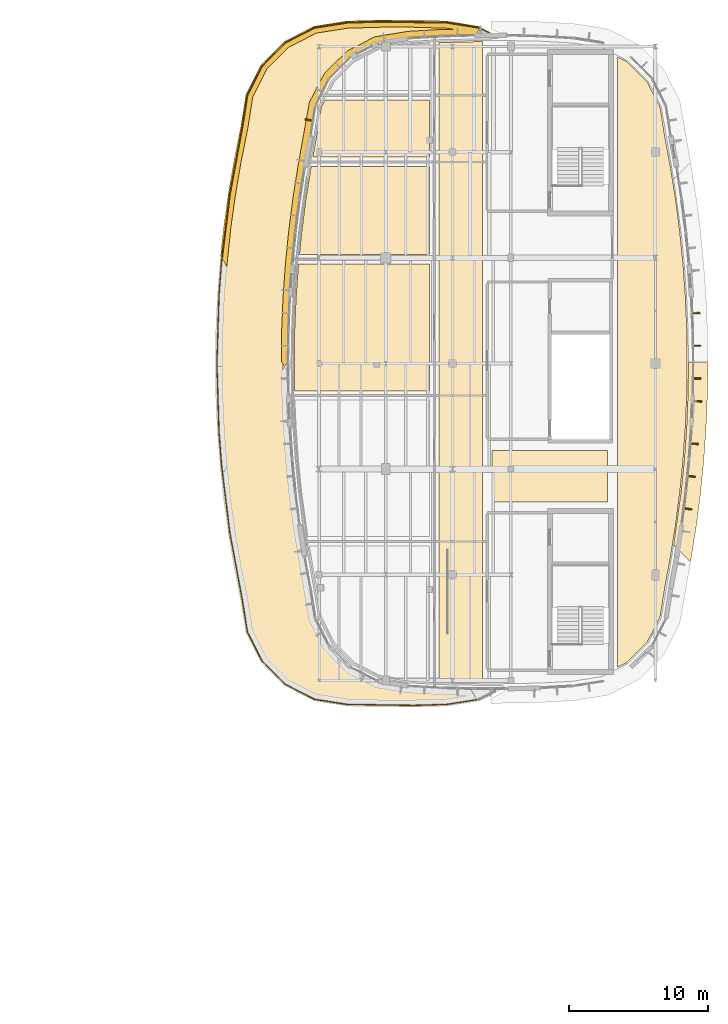
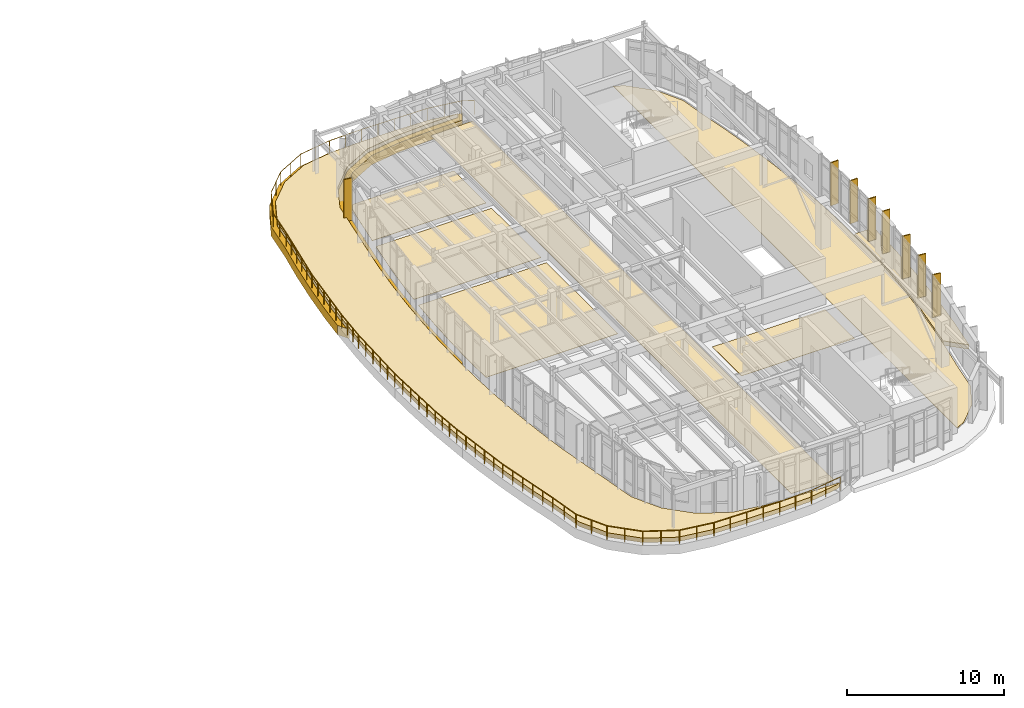
# One storey, part 29 of 30: 17 coverings, 1 railing, 1 shading device.
"""IFC4 building model written with IfcOpenShell, lengths in metres."""

from ifc_helpers import new_model, si_unit, direction, frame, origin, origin_2d, place, context, subcontext, project, spatial, polyline, rectangle, circle, outline, extrude, material, layer, layer_set, type_object, element, save


model = new_model("IFC4")

# Units and contexts
model_context = context("Model", 3, precision=1e-05, world=origin(), true_north=direction((0.0, 1.0)))
body_context = subcontext(model_context, "Body", "Model", "MODEL_VIEW")
ifc_project = project(units=[si_unit("LENGTHUNIT", "METRE"), si_unit("AREAUNIT", "SQUARE_METRE"), si_unit("VOLUMEUNIT", "CUBIC_METRE"), si_unit("PLANEANGLEUNIT", "RADIAN"), si_unit("MASSUNIT", "GRAM", prefix="KILO")], contexts=[model_context])

# Site, building, storey
site_placement = place(None, origin())
site = spatial("IfcSite", under=ifc_project, at=site_placement, CompositionType="ELEMENT")
building_placement = place(site_placement, origin())
building = spatial("IfcBuilding", under=site, at=building_placement, Name="Corveleigh Park Community Centre", CompositionType="ELEMENT")
storey_placement = place(building_placement, frame((0.0, 0.0, 12.60009765625)))
storey = spatial("IfcBuildingStorey", under=building, at=storey_placement, Name="L03", CompositionType="ELEMENT", Elevation=12.60009765625)

# Coverings
ifc_material_1 = material(Name="Warm buff ribbed architectural cladding", Category="masonry")
ifc_layer_1 = layer(ifc_material_1, 0.0849609375, Name="Warm buff ribbed architectural cladding", Category="masonry")
ifc_layer_set_1 = layer_set([ifc_layer_1], Name="Warm buff ribbed architectural cladding")
covering_type_1 = type_object("IfcCoveringType", Name="COV-CLD-BUF", PredefinedType="CLADDING", material=ifc_layer_set_1)
covering_1_placement = place(storey_placement, origin())
element("IfcCovering", 1, at=covering_1_placement, inside=storey, type_object=covering_type_1, Name="V4 L03 Brise-soleil blade 440", PredefinedType="CLADDING", context=body_context, shape_type="SweptSolid", body=[
    extrude(outline(polyline([(170.429931640625, 71.02587890625), (170.4189453125, 70.94189453125), (170.993896484375, 70.867919921875), (171.0048828125, 70.951904296875), (170.429931640625, 71.02587890625)])), origin(), (0.0, 0.0, 1.0), 3.35693359375),
])
covering_2_placement = place(storey_placement, origin())
element("IfcCovering", 2, at=covering_2_placement, inside=storey, type_object=covering_type_1, Name="V4 L03 Brise-soleil blade 441", PredefinedType="CLADDING", context=body_context, shape_type="SweptSolid", body=[
    extrude(outline(polyline([(170.694091796875, 73.35498046875), (170.68505859375, 73.27001953125), (171.262939453125, 73.212890625), (171.27099609375, 73.297119140625), (170.694091796875, 73.35498046875)])), origin(), (0.0, 0.0, 1.0), 3.35693359375),
])
covering_3_placement = place(storey_placement, origin())
element("IfcCovering", 3, at=covering_3_placement, inside=storey, type_object=covering_type_1, Name="V4 L03 Brise-soleil blade 442", PredefinedType="CLADDING", context=body_context, shape_type="SweptSolid", body=[
    extrude(outline(polyline([(170.89208984375, 75.68994140625), (170.885986328125, 75.60498046875), (171.465087890625, 75.56396484375), (171.470947265625, 75.64892578125), (170.89208984375, 75.68994140625)])), origin(), (0.0, 0.0, 1.0), 3.35693359375),
])
covering_4_placement = place(storey_placement, origin())
element("IfcCovering", 4, at=covering_4_placement, inside=storey, type_object=covering_type_1, Name="V4 L03 Brise-soleil blade 443", PredefinedType="CLADDING", context=body_context, shape_type="SweptSolid", body=[
    extrude(outline(polyline([(171.208984375, 78.73388671875), (171.2060546875, 78.64892578125), (171.739990234375, 78.6259765625), (171.743896484375, 78.7109375), (171.208984375, 78.73388671875)])), origin(), (0.0, 0.0, 1.0), 3.35693359375),
])
covering_5_placement = place(storey_placement, origin())
element("IfcCovering", 5, at=covering_5_placement, inside=storey, type_object=covering_type_1, Name="V4 L03 Brise-soleil blade 444", PredefinedType="CLADDING", context=body_context, shape_type="SweptSolid", body=[
    extrude(outline(polyline([(171.089111328125, 80.37109375), (171.087890625, 80.285888671875), (171.66796875, 80.278076171875), (171.6689453125, 80.363037109375), (171.089111328125, 80.37109375)])), origin(), (0.0, 0.0, 1.0), 3.35693359375),
])
covering_6_placement = place(storey_placement, origin())
element("IfcCovering", 6, at=covering_6_placement, inside=storey, type_object=covering_type_1, Name="V4 L03 Brise-soleil blade 445", PredefinedType="CLADDING", context=body_context, shape_type="SweptSolid", body=[
    extrude(outline(polyline([(171.087890625, 82.714111328125), (171.089111328125, 82.62890625), (171.6689453125, 82.636962890625), (171.66796875, 82.721923828125), (171.087890625, 82.714111328125)])), origin(), (0.0, 0.0, 1.0), 3.35693359375),
])
covering_7_placement = place(storey_placement, origin())
element("IfcCovering", 7, at=covering_7_placement, inside=storey, type_object=covering_type_1, Name="V4 L03 Brise-soleil blade 446", PredefinedType="CLADDING", context=body_context, shape_type="SweptSolid", body=[
    extrude(outline(polyline([(171.02001953125, 85.055908203125), (171.02392578125, 84.970947265625), (171.60302734375, 84.99609375), (171.60009765625, 85.0810546875), (171.02001953125, 85.055908203125)])), origin(), (0.0, 0.0, 1.0), 3.35693359375),
])
covering_8_placement = place(storey_placement, origin())
element("IfcCovering", 8, at=covering_8_placement, inside=storey, type_object=covering_type_1, Name="V4 L03 Brise-soleil blade 464", PredefinedType="CLADDING", context=body_context, shape_type="SweptSolid", body=[
    extrude(outline(polyline([(143.781982421875, 98.822021484375), (143.794921875, 98.906005859375), (143.222900390625, 98.9970703125), (143.208984375, 98.9130859375), (143.781982421875, 98.822021484375)])), origin(), (0.0, 0.0, 1.0), 3.3369140625),
])
ifc_material_2 = material(Name="White architectural fascia cladding", Category="masonry")
ifc_layer_2 = layer(ifc_material_2, 0.074951171875, Name="White architectural fascia cladding", Category="masonry")
ifc_layer_set_2 = layer_set([ifc_layer_2], Name="White architectural fascia cladding")
covering_type_2 = type_object("IfcCoveringType", Name="COV-CLD-WHT", PredefinedType="CLADDING", material=ifc_layer_set_2)
covering_9_placement = place(storey_placement, frame((0.0, 0.0, -0.68017578125)))
element("IfcCovering", 9, at=covering_9_placement, inside=storey, type_object=covering_type_2, Name="Step 3 Craft and Study Terrace Sweeping White Edge Band 1", PredefinedType="CLADDING", context=body_context, shape_type="SweptSolid", body=[
    extrude(outline(polyline([(137.330078125, 91.1689453125), (137.6669921875, 93.595947265625), (138.076904296875, 96.008056640625), (138.56103515625, 98.406982421875), (138.93408203125, 100.760986328125), (140.01904296875, 102.89111328125), (141.708984375, 104.5810546875), (143.839111328125, 105.666015625), (146.198974609375, 106.0400390625), (148.60009765625, 106.111083984375), (151.0009765625, 106.111083984375), (153.40087890625, 106.0400390625), (155.826904296875, 105.633056640625), (155.43408203125, 104.951904296875), (152.97900390625, 104.909912109375), (150.60302734375, 104.77490234375), (148.446044921875, 104.431884765625), (146.5009765625, 103.44189453125), (144.95703125, 101.89794921875), (143.968017578125, 99.9541015625), (142.830078125, 93.177001953125), (142.531982421875, 90.85205078125), (142.299072265625, 88.52099609375), (142.133056640625, 86.18408203125), (142.032958984375, 83.843017578125), (142.001953125, 81.660888671875), (141.719970703125, 81.172119140625), (141.48095703125, 81.5869140625), (141.512939453125, 83.864013671875), (141.613037109375, 86.2060546875), (141.781005859375, 88.572021484375), (142.01611328125, 90.91796875), (142.31591796875, 93.258056640625), (142.680908203125, 95.572998046875), (143.5009765625, 100.18505859375), (144.5849609375, 102.260986328125), (146.195068359375, 103.863037109375), (148.215087890625, 104.89892578125), (150.572021484375, 105.2939453125), (152.950927734375, 105.428955078125), (153.8369140625, 105.445068359375), (153.35498046875, 105.52099609375), (150.992919921875, 105.591064453125), (148.60693359375, 105.591064453125), (146.2451171875, 105.52099609375), (144.0009765625, 105.166015625), (142.01904296875, 104.156005859375), (140.444091796875, 102.5810546875), (139.43408203125, 100.59912109375), (139.073974609375, 98.324951171875), (138.587890625, 95.9130859375), (138.179931640625, 93.51611328125), (137.845947265625, 91.10595703125), (137.56298828125, 88.382080078125), (137.114013671875, 89.159912109375), (137.330078125, 91.1689453125)])), origin(), (0.0, 0.0, 1.0), 0.719970703125),
])
covering_10_placement = place(storey_placement, frame((0.0, 0.0, -0.300048828125)))
element("IfcCovering", 10, at=covering_10_placement, inside=storey, type_object=covering_type_2, Name="V4 L03 Horizontal Sun-Hood 8", PredefinedType="CLADDING", context=body_context, shape_type="SweptSolid", body=[
    extrude(outline(polyline([(172.175048828125, 81.485107421875), (172.14208984375, 79.14111328125), (172.041015625, 76.77001953125), (171.87109375, 74.373046875), (171.637939453125, 72.0400390625), (171.3359375, 69.68603515625), (170.928955078125, 67.135009765625), (169.7099609375, 68.35400390625), (170.2451171875, 72.18408203125), (170.47705078125, 74.507080078125), (170.64306640625, 76.8349609375), (170.741943359375, 79.166015625), (170.77490234375, 81.492919921875), (172.175048828125, 81.485107421875)])), origin(), (0.0, 0.0, 1.0), 0.33984375),
])
ifc_material_3 = material(Name="Acoustic linoleum flooring", Category="wood")
ifc_layer_3 = layer(ifc_material_3, 0.02490234375, Name="Acoustic linoleum flooring", Category="wood")
ifc_layer_set_3 = layer_set([ifc_layer_3], Name="Acoustic linoleum flooring")
covering_type_3 = type_object("IfcCoveringType", Name="COV-FLR-LIN", PredefinedType="FLOORING", material=ifc_layer_set_3)
covering_11_placement = place(storey_placement, origin())
element("IfcCovering", 11, at=covering_11_placement, inside=storey, type_object=covering_type_3, Name="Third Floor Craft Concourse flooring", PredefinedType="FLOORING", context=body_context, shape_type="SweptSolid", body=[
    extrude(outline(polyline([(152.840087890625, 104.486083984375), (155.9599609375, 104.56298828125), (155.9599609375, 58.43701171875), (152.840087890625, 58.513916015625), (152.840087890625, 104.486083984375)])), origin(), (0.0, 0.0, 1.0), 0.02490234375),
])
covering_12_placement = place(storey_placement, origin())
element("IfcCovering", 12, at=covering_12_placement, inside=storey, type_object=covering_type_3, Name="Third Floor East Park Link flooring", PredefinedType="FLOORING", context=body_context, shape_type="SweptSolid", body=[
    extrude(outline(polyline([(164.9599609375, 71.43994140625), (156.639892578125, 71.43994140625), (156.639892578125, 75.159912109375), (164.9599609375, 75.159912109375), (164.9599609375, 71.43994140625)])), origin(), (0.0, 0.0, 1.0), 0.02490234375),
])
covering_13_placement = place(storey_placement, origin())
element("IfcCovering", 13, at=covering_13_placement, inside=storey, type_object=covering_type_3, Name="Textiles and Sewing Classroom flooring", PredefinedType="FLOORING", context=body_context, shape_type="SweptSolid", body=[
    extrude(outline(polyline([(142.547119140625, 86.159912109375), (142.719970703125, 88.56005859375), (152.159912109375, 88.56005859375), (152.159912109375, 79.43994140625), (142.444091796875, 79.43994140625), (142.4150390625, 81.5), (142.447998046875, 83.83203125), (142.547119140625, 86.159912109375)])), origin(), (0.0, 0.0, 1.0), 0.02490234375),
])
covering_14_placement = place(storey_placement, origin())
element("IfcCovering", 14, at=covering_14_placement, inside=storey, type_object=covering_type_3, Name="Repair Cafe Workshop flooring", PredefinedType="FLOORING", context=body_context, shape_type="SweptSolid", body=[
    extrude(outline(polyline([(152.159912109375, 95.56005859375), (152.159912109375, 89.239990234375), (142.7880859375, 89.239990234375), (142.944091796875, 90.805908203125), (143.240966796875, 93.118896484375), (143.6298828125, 95.56005859375), (152.159912109375, 95.56005859375)])), origin(), (0.0, 0.0, 1.0), 0.02490234375),
])
covering_15_placement = place(storey_placement, origin())
element("IfcCovering", 15, at=covering_15_placement, inside=storey, type_object=covering_type_3, Name="Craft Materials Office flooring", PredefinedType="FLOORING", context=body_context, shape_type="SweptSolid", body=[
    extrude(outline(polyline([(143.756103515625, 96.239990234375), (144.366943359375, 99.824951171875), (144.638916015625, 100.360107421875), (152.159912109375, 100.360107421875), (152.159912109375, 96.239990234375), (143.756103515625, 96.239990234375)])), origin(), (0.0, 0.0, 1.0), 0.02490234375),
])
covering_16_placement = place(storey_placement, origin())
element("IfcCovering", 16, at=covering_16_placement, inside=storey, type_object=covering_type_3, Name="Parkside Craft Exhibition Gallery flooring", PredefinedType="FLOORING", context=body_context, shape_type="SweptSolid", body=[
    extrude(outline(polyline([(165.659912109375, 59.544921875), (165.659912109375, 103.455078125), (166.35205078125, 103.10302734375), (167.802978515625, 101.652099609375), (168.73291015625, 99.824951171875), (169.06689453125, 97.721923828125), (169.49609375, 95.4208984375), (169.85888671875, 93.118896484375), (170.156005859375, 90.805908203125), (170.387939453125, 88.486083984375), (170.552978515625, 86.159912109375), (170.652099609375, 83.83203125), (170.68505859375, 81.5), (170.652099609375, 79.16796875), (170.552978515625, 76.840087890625), (170.387939453125, 74.513916015625), (170.156005859375, 72.194091796875), (169.85888671875, 69.881103515625), (169.49609375, 67.5791015625), (169.06689453125, 65.278076171875), (168.73291015625, 63.175048828125), (167.802978515625, 61.347900390625), (166.35205078125, 59.89697265625), (165.659912109375, 59.544921875)])), origin(), (0.0, 0.0, 1.0), 0.02490234375),
])
ifc_material_4 = material(Name="Extensive sedum roof build-up", Category="masonry")
ifc_layer_4 = layer(ifc_material_4, 0.35009765625, Name="Extensive sedum roof build-up", Category="masonry")
ifc_layer_set_4 = layer_set([ifc_layer_4], Name="Extensive sedum roof build-up")
covering_type_4 = type_object("IfcCoveringType", Name="COV-ROF-GRN", PredefinedType="ROOFING", material=ifc_layer_set_4)
covering_17_placement = place(storey_placement, origin())
element("IfcCovering", 17, at=covering_17_placement, inside=storey, type_object=covering_type_4, Name="Step 3 Craft and Study Terrace sedum build-up", PredefinedType="ROOFING", context=body_context, shape_type="SweptSolid", body=[
    extrude(outline(polyline([(155.327880859375, 105.340087890625), (152.9580078125, 105.299072265625), (150.5791015625, 105.1640625), (148.342041015625, 104.80908203125), (146.257080078125, 103.7470703125), (144.612060546875, 102.0810546875), (143.591064453125, 100.05810546875), (142.444091796875, 93.238037109375), (142.14501953125, 90.90087890625), (141.909912109375, 88.549072265625), (141.742919921875, 86.200927734375), (141.64306640625, 83.85888671875), (141.610107421875, 81.4951171875), (141.64306640625, 79.14111328125), (141.742919921875, 76.799072265625), (141.909912109375, 74.450927734375), (142.14404296875, 72.10791015625), (142.443115234375, 69.77294921875), (143.591064453125, 62.93994140625), (144.6298828125, 60.887939453125), (146.257080078125, 59.2529296875), (148.342041015625, 58.19091796875), (150.5791015625, 57.8359375), (152.968017578125, 57.699951171875), (155.881103515625, 57.632080078125), (155.639892578125, 57.509033203125), (153.366943359375, 57.14892578125), (150.9951171875, 57.0791015625), (148.60498046875, 57.0791015625), (146.23291015625, 57.14892578125), (143.9599609375, 57.509033203125), (141.94091796875, 58.5380859375), (140.337890625, 60.14111328125), (139.30908203125, 62.159912109375), (138.946044921875, 64.455078125), (138.4599609375, 66.863037109375), (138.052001953125, 69.263916015625), (137.717041015625, 71.677978515625), (137.45703125, 74.10107421875), (137.27001953125, 76.530029296875), (137.158935546875, 78.964111328125), (137.12109375, 81.39990234375), (137.158935546875, 83.8359375), (137.27001953125, 86.27001953125), (137.45703125, 88.698974609375), (137.717041015625, 91.1220703125), (138.052001953125, 93.535888671875), (138.4599609375, 95.93701171875), (138.946044921875, 98.344970703125), (139.30908203125, 100.639892578125), (140.337890625, 102.658935546875), (141.94091796875, 104.261962890625), (143.9599609375, 105.291015625), (146.23291015625, 105.65087890625), (148.60498046875, 105.720947265625), (150.9951171875, 105.720947265625), (153.366943359375, 105.65087890625), (155.327880859375, 105.340087890625)])), origin(), (0.0, 0.0, 1.0), 0.349853515625),
])

# Railing
ifc_material_5 = material(Name="Stainless steel 316 balustrade", Category="steel")
railing_type = type_object("IfcRailingType", Name="RLG-BAL-EXT-1100", PredefinedType="BALUSTRADE", material=ifc_material_5)
railing_placement = place(storey_placement, frame((155.72412109375, 57.2490234375, 0.0)))
element("IfcRailing", 18, at=railing_placement, inside=storey, type_object=railing_type, Name="Step 3 Craft and Study Terrace guard 13", PredefinedType="BALUSTRADE", context=body_context, shape_type="SweptSolid", body=[
    extrude(circle(Radius=0.02392578125, at=origin_2d()), frame((0.0, 0.0, 1.076171875), z_axis=(-0.987692410143, -0.156408768762, 0.0), x_axis=(0.156408768762, -0.987692410143, 0.0)), (0.0, 0.0, 1.0), 2.360107421875),
    extrude(circle(Radius=0.02392578125, at=origin_2d()), frame((-2.3310546875, -0.369140625, 1.076171875), z_axis=(-0.999562983878, -0.029560806172, 0.0), x_axis=(0.029560806172, -0.999562983878, 0.0)), (0.0, 0.0, 1.0), 2.39501953125),
    extrude(circle(Radius=0.02392578125, at=origin_2d()), frame((-4.72509765625, -0.43994140625, 1.076171875), z_axis=(-0.999890870339, 0.014773199124, 0.0), x_axis=(-0.014773199124, -0.999890870339, 0.0)), (0.0, 0.0, 1.0), 4.79248046875),
    extrude(circle(Radius=0.02392578125, at=origin_2d()), frame((-9.51708984375, -0.369140625, 1.076171875), z_axis=(-0.987692410143, 0.156408768762, 0.0), x_axis=(-0.156408768762, -0.987692410143, 0.0)), (0.0, 0.0, 1.0), 2.360107421875),
    extrude(circle(Radius=0.02392578125, at=origin_2d()), frame((-11.84814453125, 0.0, 1.076171875), z_axis=(-0.89093250591, 0.454135739524, 0.0), x_axis=(-0.454135739524, -0.89093250591, 0.0)), (0.0, 0.0, 1.0), 2.351318359375),
    extrude(circle(Radius=0.02392578125, at=origin_2d()), frame((-13.943115234375, 1.06787109375, 1.076171875), z_axis=(-0.707106781187, 0.707106781187, 0.0), x_axis=(-0.707106781187, -0.707106781187, 0.0)), (0.0, 0.0, 1.0), 2.353271484375),
    extrude(circle(Radius=0.02392578125, at=origin_2d()), frame((-15.607177734375, 2.73193359375, 1.076171875), z_axis=(-0.454135739524, 0.89093250591, 0.0), x_axis=(-0.89093250591, -0.454135739524, 0.0)), (0.0, 0.0, 1.0), 2.351318359375),
    extrude(circle(Radius=0.02392578125, at=origin_2d()), frame((-16.675048828125, 4.826904296875, 1.076171875), z_axis=(-0.156412901047, 0.987691755755, 0.0), x_axis=(-0.987691755755, -0.156412901047, 0.0)), (0.0, 0.0, 1.0), 2.3662109375),
    extrude(circle(Radius=0.02392578125, at=origin_2d()), frame((-17.045166015625, 7.1640625, 1.076171875), z_axis=(-0.182748627779, 0.983159671185, 0.0), x_axis=(-0.983159671185, -0.182748627779, 0.0)), (0.0, 0.0, 1.0), 4.89208984375),
    extrude(circle(Radius=0.02392578125, at=origin_2d()), frame((-17.939208984375, 11.973876953125, 1.076171875), z_axis=(-0.122080287651, 0.99252022819, 0.0), x_axis=(-0.99252022819, -0.122080287651, 0.0)), (0.0, 0.0, 1.0), 4.8896484375),
    extrude(circle(Radius=0.02392578125, at=origin_2d()), frame((-18.5361328125, 16.826904296875, 1.076171875), z_axis=(-0.076482707339, 0.997070907949, 0.0), x_axis=(-0.997070907949, -0.076482707339, 0.0)), (0.0, 0.0, 1.0), 2.445068359375),
    extrude(circle(Radius=0.02392578125, at=origin_2d()), frame((-18.72314453125, 19.264892578125, 1.076171875), z_axis=(-0.030665629101, 0.999529699004, 0.0), x_axis=(-0.999529699004, -0.030665629101, 0.0)), (0.0, 0.0, 1.0), 4.88818359375),
    extrude(circle(Radius=0.02392578125, at=origin_2d()), frame((-18.873046875, 24.15087890625, 1.076171875), z_axis=(0.030665629101, 0.999529699004, 0.0), x_axis=(-0.999529699004, 0.030665629101, 0.0)), (0.0, 0.0, 1.0), 4.88818359375),
    extrude(circle(Radius=0.02392578125, at=origin_2d()), frame((-18.72314453125, 29.036865234375, 1.076171875), z_axis=(0.076475093904, 0.997071491926, 0.0), x_axis=(-0.997071491926, 0.076475093904, 0.0)), (0.0, 0.0, 1.0), 2.4453125),
    extrude(circle(Radius=0.02392578125, at=origin_2d()), frame((-18.5361328125, 31.47509765625, 1.076171875), z_axis=(0.122086337896, 0.99251948399, 0.0), x_axis=(-0.99251948399, 0.122086337896, 0.0)), (0.0, 0.0, 1.0), 4.889404296875),
    extrude(circle(Radius=0.02392578125, at=origin_2d()), frame((-17.939208984375, 36.327880859375, 1.076171875), z_axis=(0.182739661897, 0.983161337711, 0.0), x_axis=(-0.983161337711, 0.182739661897, 0.0)), (0.0, 0.0, 1.0), 4.892333984375),
    extrude(circle(Radius=0.02392578125, at=origin_2d()), frame((-17.045166015625, 41.137939453125, 1.076171875), z_axis=(0.156412901047, 0.987691755755, 0.0), x_axis=(-0.987691755755, 0.156412901047, 0.0)), (0.0, 0.0, 1.0), 2.3662109375),
    extrude(circle(Radius=0.02392578125, at=origin_2d()), frame((-16.675048828125, 43.47509765625, 1.076171875), z_axis=(0.454135739524, 0.89093250591, 0.0), x_axis=(-0.89093250591, 0.454135739524, 0.0)), (0.0, 0.0, 1.0), 2.351318359375),
    extrude(circle(Radius=0.02392578125, at=origin_2d()), frame((-15.607177734375, 45.570068359375, 1.076171875), z_axis=(0.707158654185, 0.707054904382, 0.0), x_axis=(-0.707054904382, 0.707158654185, 0.0)), (0.0, 0.0, 1.0), 2.353271484375),
    extrude(circle(Radius=0.02392578125, at=origin_2d()), frame((-13.943115234375, 47.23388671875, 1.076171875), z_axis=(0.890890495559, 0.454218146844, 0.0), x_axis=(-0.454218146844, 0.890890495559, 0.0)), (0.0, 0.0, 1.0), 2.3515625),
    extrude(circle(Radius=0.02392578125, at=origin_2d()), frame((-11.84814453125, 48.302001953125, 1.076171875), z_axis=(0.987708385811, 0.156307852007, 0.0), x_axis=(-0.156307852007, 0.987708385811, 0.0)), (0.0, 0.0, 1.0), 2.360107421875),
    extrude(circle(Radius=0.02392578125, at=origin_2d()), frame((-9.51708984375, 48.6708984375, 1.076171875), z_axis=(0.999559966769, 0.029662650452, 0.0), x_axis=(-0.029662650452, 0.999559966769, 0.0)), (0.0, 0.0, 1.0), 2.39501953125),
    extrude(circle(Radius=0.02392578125, at=origin_2d()), frame((-7.123046875, 48.741943359375, 1.076171875), z_axis=(0.999890116547, -0.014824130014, 0.0), x_axis=(0.014824130014, 0.999890116547, 0.0)), (0.0, 0.0, 1.0), 4.79248046875),
    extrude(circle(Radius=0.02392578125, at=origin_2d()), frame((-2.3310546875, 48.6708984375, 1.076171875), z_axis=(0.987708385811, -0.156307852007, 0.0), x_axis=(0.156307852007, 0.987708385811, 0.0)), (0.0, 0.0, 1.0), 2.360107421875),
    extrude(circle(Radius=0.02392578125, at=origin_2d()), frame((0.0, 48.302001953125, 1.076171875), z_axis=(0.890965904155, -0.454070212229, 0.0), x_axis=(0.454070212229, 0.890965904155, 0.0)), (0.0, 0.0, 1.0), 0.810302734375),
    extrude(circle(Radius=0.02099609375, at=origin_2d()), origin(), (0.0, 0.0, 1.0), 1.052001953125),
    extrude(circle(Radius=0.02099609375, at=origin_2d()), frame((-1.16552734375, -0.1845703125, 0.0)), (0.0, 0.0, 1.0), 1.052001953125),
    extrude(circle(Radius=0.02099609375, at=origin_2d()), frame((-2.3310546875, -0.369140625, 0.0)), (0.0, 0.0, 1.0), 1.052001953125),
    extrude(circle(Radius=0.02099609375, at=origin_2d()), frame((-3.528076171875, -0.404541015625, 0.0)), (0.0, 0.0, 1.0), 1.052001953125),
    extrude(circle(Radius=0.02099609375, at=origin_2d()), frame((-4.72509765625, -0.43994140625, 0.0)), (0.0, 0.0, 1.0), 1.052001953125),
    extrude(circle(Radius=0.02099609375, at=origin_2d()), frame((-5.923095703125, -0.42236328125, 0.0)), (0.0, 0.0, 1.0), 1.052001953125),
    extrude(circle(Radius=0.02099609375, at=origin_2d()), frame((-7.12109375, -0.404541015625, 0.0)), (0.0, 0.0, 1.0), 1.052001953125),
    extrude(circle(Radius=0.02099609375, at=origin_2d()), frame((-8.319091796875, -0.38671875, 0.0)), (0.0, 0.0, 1.0), 1.052001953125),
    extrude(circle(Radius=0.02099609375, at=origin_2d()), frame((-9.51708984375, -0.369140625, 0.0)), (0.0, 0.0, 1.0), 1.052001953125),
    extrude(circle(Radius=0.02099609375, at=origin_2d()), frame((-10.6826171875, -0.1845703125, 0.0)), (0.0, 0.0, 1.0), 1.052001953125),
    extrude(circle(Radius=0.02099609375, at=origin_2d()), frame((-11.84814453125, 0.0, 0.0)), (0.0, 0.0, 1.0), 1.052001953125),
    extrude(circle(Radius=0.02099609375, at=origin_2d()), frame((-12.8955078125, 0.533935546875, 0.0)), (0.0, 0.0, 1.0), 1.052001953125),
    extrude(circle(Radius=0.02099609375, at=origin_2d()), frame((-13.943115234375, 1.06787109375, 0.0)), (0.0, 0.0, 1.0), 1.052001953125),
    extrude(circle(Radius=0.02099609375, at=origin_2d()), frame((-14.775146484375, 1.89990234375, 0.0)), (0.0, 0.0, 1.0), 1.052001953125),
    extrude(circle(Radius=0.02099609375, at=origin_2d()), frame((-15.607177734375, 2.73193359375, 0.0)), (0.0, 0.0, 1.0), 1.052001953125),
    extrude(circle(Radius=0.02099609375, at=origin_2d()), frame((-16.14111328125, 3.779296875, 0.0)), (0.0, 0.0, 1.0), 1.052001953125),
    extrude(circle(Radius=0.02099609375, at=origin_2d()), frame((-16.675048828125, 4.826904296875, 0.0)), (0.0, 0.0, 1.0), 1.052001953125),
    extrude(circle(Radius=0.02099609375, at=origin_2d()), frame((-16.860107421875, 5.99560546875, 0.0)), (0.0, 0.0, 1.0), 1.052001953125),
    extrude(circle(Radius=0.02099609375, at=origin_2d()), frame((-17.045166015625, 7.1640625, 0.0)), (0.0, 0.0, 1.0), 1.052001953125),
    extrude(circle(Radius=0.02099609375, at=origin_2d()), frame((-17.223876953125, 8.1259765625, 0.0)), (0.0, 0.0, 1.0), 1.052001953125),
    extrude(circle(Radius=0.02099609375, at=origin_2d()), frame((-17.40283203125, 9.087890625, 0.0)), (0.0, 0.0, 1.0), 1.052001953125),
    extrude(circle(Radius=0.02099609375, at=origin_2d()), frame((-17.58154296875, 10.050048828125, 0.0)), (0.0, 0.0, 1.0), 1.052001953125),
    extrude(circle(Radius=0.02099609375, at=origin_2d()), frame((-17.760498046875, 11.011962890625, 0.0)), (0.0, 0.0, 1.0), 1.052001953125),
    extrude(circle(Radius=0.02099609375, at=origin_2d()), frame((-17.939208984375, 11.973876953125, 0.0)), (0.0, 0.0, 1.0), 1.052001953125),
    extrude(circle(Radius=0.02099609375, at=origin_2d()), frame((-18.05859375, 12.944580078125, 0.0)), (0.0, 0.0, 1.0), 1.052001953125),
    extrude(circle(Radius=0.02099609375, at=origin_2d()), frame((-18.177978515625, 13.9150390625, 0.0)), (0.0, 0.0, 1.0), 1.052001953125),
    extrude(circle(Radius=0.02099609375, at=origin_2d()), frame((-18.29736328125, 14.8857421875, 0.0)), (0.0, 0.0, 1.0), 1.052001953125),
    extrude(circle(Radius=0.02099609375, at=origin_2d()), frame((-18.416748046875, 15.856201171875, 0.0)), (0.0, 0.0, 1.0), 1.052001953125),
    extrude(circle(Radius=0.02099609375, at=origin_2d()), frame((-18.5361328125, 16.826904296875, 0.0)), (0.0, 0.0, 1.0), 1.052001953125),
    extrude(circle(Radius=0.02099609375, at=origin_2d()), frame((-18.598388671875, 17.6396484375, 0.0)), (0.0, 0.0, 1.0), 1.052001953125),
    extrude(circle(Radius=0.02099609375, at=origin_2d()), frame((-18.660888671875, 18.4521484375, 0.0)), (0.0, 0.0, 1.0), 1.052001953125),
    extrude(circle(Radius=0.02099609375, at=origin_2d()), frame((-18.72314453125, 19.264892578125, 0.0)), (0.0, 0.0, 1.0), 1.052001953125),
    extrude(circle(Radius=0.02099609375, at=origin_2d()), frame((-18.753173828125, 20.2421875, 0.0)), (0.0, 0.0, 1.0), 1.052001953125),
    extrude(circle(Radius=0.02099609375, at=origin_2d()), frame((-18.783203125, 21.21923828125, 0.0)), (0.0, 0.0, 1.0), 1.052001953125),
    extrude(circle(Radius=0.02099609375, at=origin_2d()), frame((-18.81298828125, 22.196533203125, 0.0)), (0.0, 0.0, 1.0), 1.052001953125),
    extrude(circle(Radius=0.02099609375, at=origin_2d()), frame((-18.843017578125, 23.173583984375, 0.0)), (0.0, 0.0, 1.0), 1.052001953125),
    extrude(circle(Radius=0.02099609375, at=origin_2d()), frame((-18.873046875, 24.15087890625, 0.0)), (0.0, 0.0, 1.0), 1.052001953125),
    extrude(circle(Radius=0.02099609375, at=origin_2d()), frame((-18.843017578125, 25.128173828125, 0.0)), (0.0, 0.0, 1.0), 1.052001953125),
    extrude(circle(Radius=0.02099609375, at=origin_2d()), frame((-18.81298828125, 26.105224609375, 0.0)), (0.0, 0.0, 1.0), 1.052001953125),
    extrude(circle(Radius=0.02099609375, at=origin_2d()), frame((-18.783203125, 27.08251953125, 0.0)), (0.0, 0.0, 1.0), 1.052001953125),
    extrude(circle(Radius=0.02099609375, at=origin_2d()), frame((-18.753173828125, 28.0595703125, 0.0)), (0.0, 0.0, 1.0), 1.052001953125),
    extrude(circle(Radius=0.02099609375, at=origin_2d()), frame((-18.72314453125, 29.036865234375, 0.0)), (0.0, 0.0, 1.0), 1.052001953125),
    extrude(circle(Radius=0.02099609375, at=origin_2d()), frame((-18.660888671875, 29.849609375, 0.0)), (0.0, 0.0, 1.0), 1.052001953125),
    extrude(circle(Radius=0.02099609375, at=origin_2d()), frame((-18.598388671875, 30.662353515625, 0.0)), (0.0, 0.0, 1.0), 1.052001953125),
    extrude(circle(Radius=0.02099609375, at=origin_2d()), frame((-18.5361328125, 31.47509765625, 0.0)), (0.0, 0.0, 1.0), 1.052001953125),
    extrude(circle(Radius=0.02099609375, at=origin_2d()), frame((-18.416748046875, 32.445556640625, 0.0)), (0.0, 0.0, 1.0), 1.052001953125),
    extrude(circle(Radius=0.02099609375, at=origin_2d()), frame((-18.29736328125, 33.416259765625, 0.0)), (0.0, 0.0, 1.0), 1.052001953125),
    extrude(circle(Radius=0.02099609375, at=origin_2d()), frame((-18.177978515625, 34.38671875, 0.0)), (0.0, 0.0, 1.0), 1.052001953125),
    extrude(circle(Radius=0.02099609375, at=origin_2d()), frame((-18.05859375, 35.357421875, 0.0)), (0.0, 0.0, 1.0), 1.052001953125),
    extrude(circle(Radius=0.02099609375, at=origin_2d()), frame((-17.939208984375, 36.327880859375, 0.0)), (0.0, 0.0, 1.0), 1.052001953125),
    extrude(circle(Radius=0.02099609375, at=origin_2d()), frame((-17.760498046875, 37.289794921875, 0.0)), (0.0, 0.0, 1.0), 1.052001953125),
    extrude(circle(Radius=0.02099609375, at=origin_2d()), frame((-17.58154296875, 38.251953125, 0.0)), (0.0, 0.0, 1.0), 1.052001953125),
    extrude(circle(Radius=0.02099609375, at=origin_2d()), frame((-17.40283203125, 39.2138671875, 0.0)), (0.0, 0.0, 1.0), 1.052001953125),
    extrude(circle(Radius=0.02099609375, at=origin_2d()), frame((-17.223876953125, 40.176025390625, 0.0)), (0.0, 0.0, 1.0), 1.052001953125),
    extrude(circle(Radius=0.02099609375, at=origin_2d()), frame((-17.045166015625, 41.137939453125, 0.0)), (0.0, 0.0, 1.0), 1.052001953125),
    extrude(circle(Radius=0.02099609375, at=origin_2d()), frame((-16.860107421875, 42.306640625, 0.0)), (0.0, 0.0, 1.0), 1.052001953125),
    extrude(circle(Radius=0.02099609375, at=origin_2d()), frame((-16.675048828125, 43.47509765625, 0.0)), (0.0, 0.0, 1.0), 1.052001953125),
    extrude(circle(Radius=0.02099609375, at=origin_2d()), frame((-16.14111328125, 44.5224609375, 0.0)), (0.0, 0.0, 1.0), 1.052001953125),
    extrude(circle(Radius=0.02099609375, at=origin_2d()), frame((-15.607177734375, 45.570068359375, 0.0)), (0.0, 0.0, 1.0), 1.052001953125),
    extrude(circle(Radius=0.02099609375, at=origin_2d()), frame((-14.775146484375, 46.40185546875, 0.0)), (0.0, 0.0, 1.0), 1.052001953125),
    extrude(circle(Radius=0.02099609375, at=origin_2d()), frame((-13.943115234375, 47.23388671875, 0.0)), (0.0, 0.0, 1.0), 1.052001953125),
    extrude(circle(Radius=0.02099609375, at=origin_2d()), frame((-12.8955078125, 47.76806640625, 0.0)), (0.0, 0.0, 1.0), 1.052001953125),
    extrude(circle(Radius=0.02099609375, at=origin_2d()), frame((-11.84814453125, 48.302001953125, 0.0)), (0.0, 0.0, 1.0), 1.052001953125),
    extrude(circle(Radius=0.02099609375, at=origin_2d()), frame((-10.6826171875, 48.486328125, 0.0)), (0.0, 0.0, 1.0), 1.052001953125),
    extrude(circle(Radius=0.02099609375, at=origin_2d()), frame((-9.51708984375, 48.6708984375, 0.0)), (0.0, 0.0, 1.0), 1.052001953125),
    extrude(circle(Radius=0.02099609375, at=origin_2d()), frame((-8.320068359375, 48.70654296875, 0.0)), (0.0, 0.0, 1.0), 1.052001953125),
    extrude(circle(Radius=0.02099609375, at=origin_2d()), frame((-7.123046875, 48.741943359375, 0.0)), (0.0, 0.0, 1.0), 1.052001953125),
    extrude(circle(Radius=0.02099609375, at=origin_2d()), frame((-5.925048828125, 48.72412109375, 0.0)), (0.0, 0.0, 1.0), 1.052001953125),
    extrude(circle(Radius=0.02099609375, at=origin_2d()), frame((-4.72705078125, 48.70654296875, 0.0)), (0.0, 0.0, 1.0), 1.052001953125),
    extrude(circle(Radius=0.02099609375, at=origin_2d()), frame((-3.529052734375, 48.688720703125, 0.0)), (0.0, 0.0, 1.0), 1.052001953125),
    extrude(circle(Radius=0.02099609375, at=origin_2d()), frame((-2.3310546875, 48.6708984375, 0.0)), (0.0, 0.0, 1.0), 1.052001953125),
    extrude(circle(Radius=0.02099609375, at=origin_2d()), frame((-1.16552734375, 48.486328125, 0.0)), (0.0, 0.0, 1.0), 1.052001953125),
    extrude(circle(Radius=0.02099609375, at=origin_2d()), frame((0.0, 48.302001953125, 0.0)), (0.0, 0.0, 1.0), 1.052001953125),
    extrude(circle(Radius=0.02099609375, at=origin_2d()), frame((0.721923828125, 47.93408203125, 0.0)), (0.0, 0.0, 1.0), 1.052001953125),
])

# Shading device
ifc_material_6 = material(Name="Terracotta-anodised aluminium fin", Category="masonry")
shading_device_type = type_object("IfcShadingDeviceType", Name="SHD-FIN-TER-450", PredefinedType="USERDEFINED", material=ifc_material_6)
shading_device_placement = place(storey_placement, frame((171.39697265625, 78.68310546875, 0.25), z_axis=(0.0, 0.0, 1.0), x_axis=(0.999074729961, -0.043007952221, 0.0)))
element("IfcShadingDevice", 19, at=shading_device_placement, inside=storey, type_object=shading_device_type, Name="Terracotta brise-soleil fin 96", ObjectType="FIN", PredefinedType="USERDEFINED", context=body_context, shape_type="SweptSolid", body=[
    extrude(rectangle(XDim=0.449951171875, YDim=0.06494140625, at=origin_2d()), origin(), (0.0, 0.0, 1.0), 2.95703125),
])

save(model, "model.ifc")
